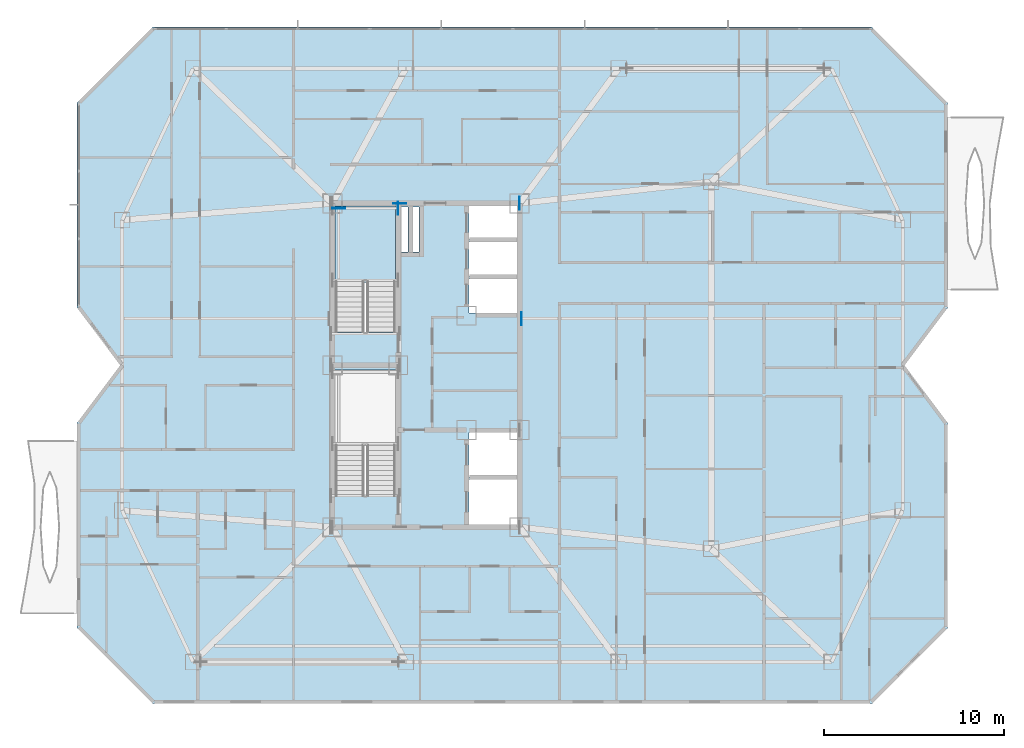
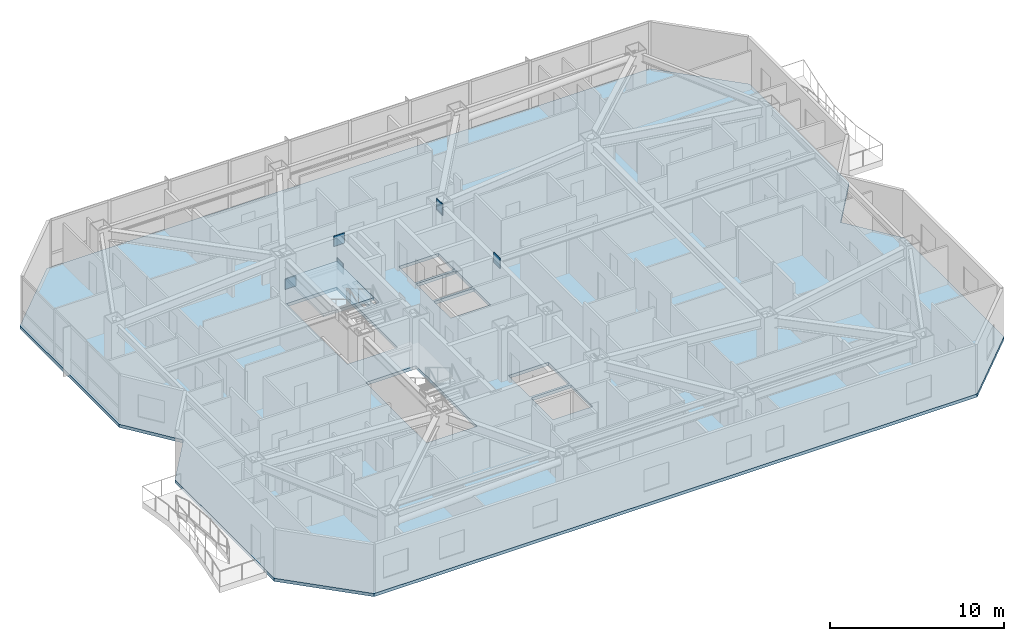
# One storey, part 10 of 21: 6 plates, 2 slabs, 1 element without a shape of its own.
"""IFC4 building model written with IfcOpenShell, lengths in metres."""

from ifc_helpers import new_model, si_unit, direction, frame, origin, origin_2d, place, context, subcontext, project, spatial, polyline, rectangle, outline, extrude, material, layer, layer_set, type_object, element, aggregate, save


model = new_model("IFC4")

# Units and contexts
model_context = context("Model", 3, precision=1e-05, world=origin(), true_north=direction((0.0, 1.0)))
body_context = subcontext(model_context, "Body", "Model", "MODEL_VIEW")
ifc_project = project(units=[si_unit("LENGTHUNIT", "METRE"), si_unit("AREAUNIT", "SQUARE_METRE"), si_unit("VOLUMEUNIT", "CUBIC_METRE"), si_unit("PLANEANGLEUNIT", "RADIAN"), si_unit("MASSUNIT", "GRAM", prefix="KILO")], contexts=[model_context])

# Site, building, storey
site_placement = place(None, origin())
site = spatial("IfcSite", under=ifc_project, at=site_placement, CompositionType="ELEMENT")
building_placement = place(site_placement, origin())
building = spatial("IfcBuilding", under=site, at=building_placement, Name="Khamvora Tower", CompositionType="ELEMENT")
storey_placement = place(building_placement, frame((0.0, 0.0, 159.550048828125)))
storey = spatial("IfcBuildingStorey", under=building, at=storey_placement, Name="L40", CompositionType="ELEMENT", Elevation=159.550048828125)

# Plates
ifc_material_1 = material(Name="Steel S460", Category="steel")
ifc_layer_1 = layer(ifc_material_1, 0.034912109375)
ifc_layer_set_1 = layer_set([ifc_layer_1], Name="Steel S460")
plate_type = type_object("IfcPlateType", Name="PL-EMB-35", PredefinedType="SHEET", material=ifc_layer_set_1)
plate_1_placement = place(storey_placement, frame((32.64990234375, 36.72998046875, 1.1337890625), z_axis=(0.0, 0.0, 1.0), x_axis=(1.0, 0.0, 0.0)))
element("IfcPlate", 1, at=plate_1_placement, inside=storey, type_object=plate_type, Name="L40 core shear wall cast-in embed plate 1177", PredefinedType="SHEET", context=body_context, shape_type="SweptSolid", body=[
    extrude(rectangle(XDim=0.034912109375, YDim=0.719970703125, at=origin_2d()), origin(), (0.0, 0.0, 1.0), 0.719970703125),
])
plate_2_placement = place(storey_placement, frame((29.35009765625, 36.72998046875, 1.1337890625), z_axis=(0.0, 0.0, 1.0), x_axis=(1.0, 0.0, 0.0)))
element("IfcPlate", 2, at=plate_2_placement, inside=storey, type_object=plate_type, Name="L40 core shear wall cast-in embed plate 1178", PredefinedType="SHEET", context=body_context, shape_type="SweptSolid", body=[
    extrude(rectangle(XDim=0.719970703125, YDim=0.034912109375, at=origin_2d()), origin(), (0.0, 0.0, 1.0), 0.719970703125),
])
plate_3_placement = place(storey_placement, frame((39.39990234375, 37.0, 2.72216796875), z_axis=(0.0, 0.0, 1.0), x_axis=(1.0, 0.0, 0.0)))
element("IfcPlate", 3, at=plate_3_placement, inside=storey, type_object=plate_type, Name="L40 core shear wall cast-in embed plate 1182", PredefinedType="SHEET", context=body_context, shape_type="SweptSolid", body=[
    extrude(rectangle(XDim=0.034912109375, YDim=0.719970703125, at=origin_2d()), origin(), (0.0, 0.0, 1.0), 0.719970703125),
])
plate_4_placement = place(storey_placement, frame((32.72998046875, 37.0, 2.802734375), z_axis=(0.0, 0.0, 1.0), x_axis=(1.0, 0.0, 0.0)))
element("IfcPlate", 4, at=plate_4_placement, inside=storey, type_object=plate_type, Name="L40 core shear wall cast-in embed plate 1188", PredefinedType="SHEET", context=body_context, shape_type="SweptSolid", body=[
    extrude(rectangle(XDim=0.719970703125, YDim=0.034912109375, at=origin_2d()), origin(), (0.0, 0.0, 1.0), 0.719970703125),
])
for number, where, z_axis, x_axis, name in (
    (5, (39.39990234375, 37.0, 2.802734375), (0.0, 0.0, 1.0), (1.0, 0.0, 0.0), "L40 core shear wall cast-in embed plate 1191"),
    (6, (39.4990234375, 30.60009765625, 2.86572265625), (0.0, 0.0, 1.0), (1.0, 0.0, 0.0), "L40 core shear wall cast-in embed plate 1197"),
):
    element("IfcPlate", number, at=place(storey_placement, frame(where, z_axis=z_axis, x_axis=x_axis)), inside=storey, type_object=plate_type, Name=name, PredefinedType="SHEET", context=body_context, shape_type="SweptSolid", body=[
        extrude(rectangle(XDim=0.034912109375, YDim=0.719970703125, at=origin_2d()), origin(), (0.0, 0.0, 1.0), 0.719970703125),
    ])

# Stair, slab
ifc_material_2 = material(Name="Concrete C40/50", Category="concrete")
stair_type = type_object("IfcStairType", Name="STR-ST-02", PredefinedType="HALF_TURN_STAIR", material=ifc_material_2)
stair_placement = place(storey_placement, origin())
stair = element("IfcStair", 7, at=stair_placement, inside=storey, type_object=stair_type, Name="L40 North Tower Exit Stair ST-02", PredefinedType="HALF_TURN_STAIR")
ifc_layer_2 = layer(ifc_material_2, 0.199951171875)
ifc_layer_set_2 = layer_set([ifc_layer_2], Name="Concrete C40/50")
slab_type_1 = type_object("IfcSlabType", Name="SLB-LND-200", PredefinedType="LANDING", material=ifc_layer_set_2)
slab_1_placement = place(storey_placement, frame((0.0, 0.0, 1.625)))
slab_1 = element("IfcSlab", 8, at=slab_1_placement, type_object=slab_type_1, Name="ST-02 landing 1", PredefinedType="LANDING", context=body_context, shape_type="SweptSolid", body=[
    extrude(outline(polyline([(32.5, 32.614990234375), (32.5, 36.85009765625), (29.14990234375, 36.85009765625), (29.14990234375, 32.614990234375), (32.5, 32.614990234375)])), origin(), (0.0, 0.0, 1.0), 0.199951171875),
])
aggregate(stair, [slab_1])

# Slab
ifc_material_3 = material(Name="Concrete C35/45", Category="concrete")
ifc_layer_3 = layer(ifc_material_3, 0.219970703125)
ifc_layer_set_3 = layer_set([ifc_layer_3], Name="Concrete C35/45")
slab_type_2 = type_object("IfcSlabType", Name="SLB-TYP-220", PredefinedType="FLOOR", material=ifc_layer_set_3)
slab_2_placement = place(storey_placement, frame((0.0, 0.0, -0.219970703125)))
element("IfcSlab", 9, at=slab_2_placement, inside=storey, type_object=slab_type_2, Name="L40 structural floor slab", PredefinedType="FLOOR", context=body_context, shape_type="SweptSolid", body=[
    extrude(outline(polyline([(19.0, 9.199951171875), (59.0, 9.199951171875), (63.199951171875, 13.39990234375), (63.199951171875, 24.800048828125), (60.800048828125, 28.0), (63.199951171875, 31.199951171875), (63.199951171875, 42.60009765625), (59.0, 46.800048828125), (19.0, 46.800048828125), (14.800048828125, 42.60009765625), (14.800048828125, 31.199951171875), (17.199951171875, 28.0), (14.800048828125, 24.800048828125), (14.800048828125, 13.39990234375), (19.0, 9.199951171875)]), holes=[polyline([(32.5, 20.760009765625), (32.5, 27.75), (29.14990234375, 27.75), (29.14990234375, 20.760009765625), (32.5, 20.760009765625)]), polyline([(32.5, 29.860107421875), (32.5, 36.85009765625), (29.14990234375, 36.85009765625), (29.14990234375, 29.860107421875), (32.5, 29.860107421875)]), polyline([(36.60009765625, 19.14990234375), (39.25, 19.14990234375), (39.25, 21.64990234375), (36.60009765625, 21.64990234375), (36.60009765625, 19.14990234375)]), polyline([(36.60009765625, 21.800048828125), (39.25, 21.800048828125), (39.25, 24.25), (36.60009765625, 24.25), (36.60009765625, 21.800048828125)]), polyline([(36.60009765625, 30.89990234375), (39.25, 30.89990234375), (39.25, 32.800048828125), (36.60009765625, 32.800048828125), (36.60009765625, 30.89990234375)]), polyline([(36.60009765625, 32.949951171875), (39.25, 32.949951171875), (39.25, 34.85009765625), (36.60009765625, 34.85009765625), (36.60009765625, 32.949951171875)]), polyline([(36.60009765625, 35.0), (39.25, 35.0), (39.25, 36.85009765625), (36.60009765625, 36.85009765625), (36.60009765625, 35.0)]), polyline([(32.800048828125, 34.300048828125), (33.199951171875, 34.300048828125), (33.199951171875, 36.800048828125), (32.800048828125, 36.800048828125), (32.800048828125, 34.300048828125)]), polyline([(33.47998046875, 34.300048828125), (33.820068359375, 34.300048828125), (33.820068359375, 36.800048828125), (33.47998046875, 36.800048828125), (33.47998046875, 34.300048828125)])]), origin(), (0.0, 0.0, 1.0), 0.219970703125),
])

save(model, "model.ifc")
